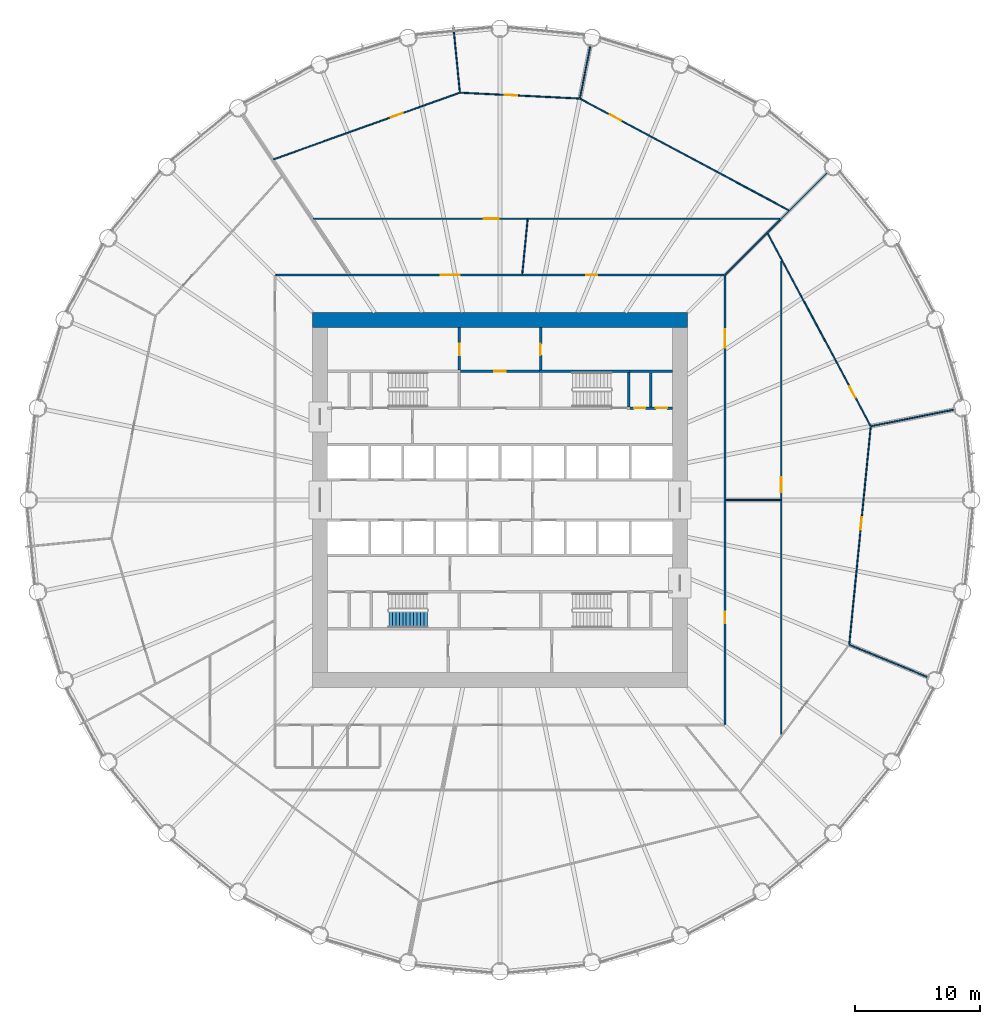
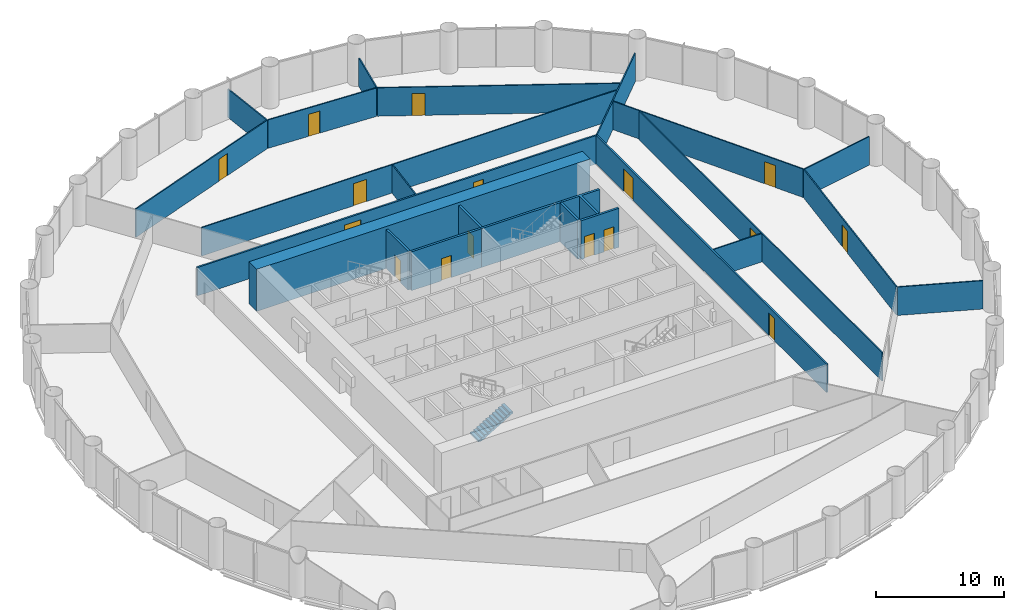
# One storey, part 13 of 15: 24 walls, 16 doors, 1 stair flight, 16 openings, 1 element without a shape of its own.
"""IFC4 building model written with IfcOpenShell, lengths in metres."""

from ifc_helpers import new_model, si_unit, direction, frame, frame_2d, origin, place, context, subcontext, project, spatial, polyline, rectangle, outline, extrude, material, layer, layer_set, type_object, element, fill, aggregate, save


model = new_model("IFC4")

# Units and contexts
model_context = context("Model", 3, precision=1e-05, world=origin(), true_north=direction((0.0, 1.0)))
body_context = subcontext(model_context, "Body", "Model", "MODEL_VIEW")
ifc_project = project(units=[si_unit("LENGTHUNIT", "METRE"), si_unit("AREAUNIT", "SQUARE_METRE"), si_unit("VOLUMEUNIT", "CUBIC_METRE"), si_unit("PLANEANGLEUNIT", "RADIAN"), si_unit("MASSUNIT", "GRAM", prefix="KILO")], contexts=[model_context])

# Site, building, storey
site_placement = place(None, origin())
site = spatial("IfcSite", under=ifc_project, at=site_placement, CompositionType="ELEMENT")
building_placement = place(site_placement, origin())
building = spatial("IfcBuilding", under=site, at=building_placement, Name="Corvane Civic Tower", CompositionType="ELEMENT")
storey_placement = place(building_placement, frame((0.0, 0.0, 45.0)))
storey = spatial("IfcBuildingStorey", under=building, at=storey_placement, Name="L09", CompositionType="ELEMENT", Elevation=45.0)

# Wall
ifc_material_1 = material(Name="Concrete C80/95", Category="concrete")
ifc_layer_1 = layer(ifc_material_1, 1.199951171875)
ifc_layer_set_1 = layer_set([ifc_layer_1], Name="Concrete C80/95")
wall_type_1 = type_object("IfcWallType", Name="CORE WALL 1200 C80/95", PredefinedType="SHEAR", material=ifc_layer_set_1)
wall_1_placement = place(storey_placement, frame((-15.0, 14.39990234375, 0.0), z_axis=(0.0, 0.0, 1.0), x_axis=(1.0, 0.0, 0.0)))
element("IfcWall", 1, at=wall_1_placement, inside=storey, type_object=wall_type_1, Name="W-L09-core-N", PredefinedType="SHEAR", context=body_context, shape_type="SweptSolid", body=[
    extrude(rectangle(XDim=30.0, YDim=1.199951171875, at=frame_2d((15.0, 0.0))), origin(), (0.0, 0.0, 1.0), 4.0),
])

# Wall, openings, doors
ifc_material_2 = material(Name="Concrete C30/37", Category="concrete")
ifc_layer_2 = layer(ifc_material_2, 0.199951171875)
ifc_layer_set_2 = layer_set([ifc_layer_2], Name="Concrete C30/37")
wall_type_2 = type_object("IfcWallType", Name="CR-WALL-200", PredefinedType="PARTITIONING", material=ifc_layer_set_2)
wall_2_placement = place(storey_placement, frame((10.39990234375, 7.35009765625, 0.0), z_axis=(0.0, 0.0, 1.0), x_axis=(1.0, 0.0, 0.0)))
wall_2 = element("IfcWall", 2, at=wall_2_placement, inside=storey, type_object=wall_type_2, Name="L09 core partition wall", PredefinedType="PARTITIONING", context=body_context, shape_type="SweptSolid", body=[
    extrude(rectangle(XDim=3.400146484375, YDim=0.199951171875, at=frame_2d((1.7001953125, 0.0))), origin(), (0.0, 0.0, 1.0), 3.699951171875),
])
opening_1_placement = place(wall_2_placement, frame((0.324951171875, 0.0, 0.0)))
opening_1 = element("IfcOpeningElement", 3, at=opening_1_placement, cuts=wall_2, Name="Opening L09.C14", PredefinedType="OPENING", context=body_context, shape_type="SweptSolid", body=[
    extrude(rectangle(XDim=0.89990234375, YDim=2.10009765625, at=frame_2d((0.449951171875, 1.050048828125))), frame((0.0, 0.10986328125, 0.0), z_axis=(0.0, -1.0, 0.0), x_axis=(1.0, 0.0, 0.0)), (0.0, 0.0, 1.0), 0.219970703125),
])
opening_2_placement = place(wall_2_placement, frame((2.074951171875, 0.0, 0.0)))
opening_2 = element("IfcOpeningElement", 4, at=opening_2_placement, cuts=wall_2, Name="Opening L09.C15", PredefinedType="OPENING", context=body_context, shape_type="SweptSolid", body=[
    extrude(rectangle(XDim=0.89990234375, YDim=2.10009765625, at=frame_2d((0.449951171875, 1.050048828125))), frame((0.0, 0.10986328125, 0.0), z_axis=(0.0, -1.0, 0.0), x_axis=(1.0, 0.0, 0.0)), (0.0, 0.0, 1.0), 0.219970703125),
])
ifc_material_3 = material(Name="Steel fire door leaf", Category="steel")
door_type_1 = type_object("IfcDoorType", Name="CR-DOOR-900", OperationType="SINGLE_SWING_LEFT", PredefinedType="DOOR", material=ifc_material_3)
door_1_placement = place(opening_1_placement, origin())
door_1 = element("IfcDoor", 5, at=door_1_placement, inside=storey, type_object=door_type_1, Name="L09 door", OperationType="SINGLE_SWING_LEFT", OverallHeight=2.10009765625, OverallWidth=0.89990234375, PredefinedType="DOOR", context=body_context, shape_type="SweptSolid", body=[
    extrude(rectangle(XDim=0.89990234375, YDim=2.10009765625, at=frame_2d((0.449951171875, 1.050048828125))), frame((0.0, 0.02490234375, 0.0), z_axis=(0.0, -1.0, 0.0), x_axis=(1.0, 0.0, 0.0)), (0.0, 0.0, 1.0), 0.050048828125),
])
fill(opening_1, door_1)
door_2_placement = place(opening_2_placement, origin())
door_2 = element("IfcDoor", 6, at=door_2_placement, inside=storey, type_object=door_type_1, Name="L09 door", OperationType="SINGLE_SWING_LEFT", OverallHeight=2.10009765625, OverallWidth=0.89990234375, PredefinedType="DOOR", context=body_context, shape_type="SweptSolid", body=[
    extrude(rectangle(XDim=0.89990234375, YDim=2.10009765625, at=frame_2d((0.449951171875, 1.050048828125))), frame((0.0, 0.02490234375, 0.0), z_axis=(0.0, -1.0, 0.0), x_axis=(1.0, 0.0, 0.0)), (0.0, 0.0, 1.0), 0.050048828125),
])
fill(opening_2, door_2)

# Wall, opening, door
wall_3_placement = place(storey_placement, frame((-3.14990234375, 10.300048828125, 0.0), z_axis=(0.0, 0.0, 1.0), x_axis=(1.0, 0.0, 0.0)))
wall_3 = element("IfcWall", 7, at=wall_3_placement, inside=storey, type_object=wall_type_2, Name="L09 partition wall", PredefinedType="PARTITIONING", context=body_context, shape_type="SweptSolid", body=[
    extrude(rectangle(XDim=6.2998046875, YDim=0.199951171875, at=frame_2d((3.14990234375, 0.0))), origin(), (0.0, 0.0, 1.0), 3.699951171875),
])
opening_3_placement = place(wall_3_placement, frame((2.699951171875, 0.0, 0.0)))
opening_3 = element("IfcOpeningElement", 8, at=opening_3_placement, cuts=wall_3, Name="Opening L09.C05", PredefinedType="OPENING", context=body_context, shape_type="SweptSolid", body=[
    extrude(rectangle(XDim=0.89990234375, YDim=2.10009765625, at=frame_2d((0.449951171875, 1.050048828125))), frame((0.0, 0.10986328125, 0.0), z_axis=(0.0, -1.0, 0.0), x_axis=(1.0, 0.0, 0.0)), (0.0, 0.0, 1.0), 0.219970703125),
])
door_3_placement = place(opening_3_placement, origin())
door_3 = element("IfcDoor", 9, at=door_3_placement, inside=storey, type_object=door_type_1, Name="L09 door", OperationType="SINGLE_SWING_LEFT", OverallHeight=2.10009765625, OverallWidth=0.89990234375, PredefinedType="DOOR", context=body_context, shape_type="SweptSolid", body=[
    extrude(rectangle(XDim=0.89990234375, YDim=2.10009765625, at=frame_2d((0.449951171875, 1.050048828125))), frame((0.0, 0.02490234375, 0.0), z_axis=(0.0, -1.0, 0.0), x_axis=(1.0, 0.0, 0.0)), (0.0, 0.0, 1.0), 0.050048828125),
])
fill(opening_3, door_3)

wall_4_placement = place(storey_placement, frame((-3.25, 10.39990234375, 0.0), z_axis=(0.0, 0.0, 1.0), x_axis=(0.0, 1.0, 0.0)))
wall_4 = element("IfcWall", 10, at=wall_4_placement, inside=storey, type_object=wall_type_2, Name="L09 partition wall", PredefinedType="PARTITIONING", context=body_context, shape_type="SweptSolid", body=[
    extrude(rectangle(XDim=3.400146484375, YDim=0.199951171875, at=frame_2d((1.7001953125, 0.0))), origin(), (0.0, 0.0, 1.0), 3.699951171875),
])
opening_4_placement = place(wall_4_placement, frame((1.199951171875, 0.0, 0.0)))
opening_4 = element("IfcOpeningElement", 11, at=opening_4_placement, cuts=wall_4, Name="Opening L09.C04", PredefinedType="OPENING", context=body_context, shape_type="SweptSolid", body=[
    extrude(rectangle(XDim=0.89990234375, YDim=2.10009765625, at=frame_2d((0.449951171875, 1.050048828125))), frame((0.0, 0.10986328125, 0.0), z_axis=(0.0, -1.0, 0.0), x_axis=(1.0, 0.0, 0.0)), (0.0, 0.0, 1.0), 0.219970703125),
])
door_4_placement = place(opening_4_placement, origin())
door_4 = element("IfcDoor", 12, at=door_4_placement, inside=storey, type_object=door_type_1, Name="L09 door", OperationType="SINGLE_SWING_LEFT", OverallHeight=2.10009765625, OverallWidth=0.89990234375, PredefinedType="DOOR", context=body_context, shape_type="SweptSolid", body=[
    extrude(rectangle(XDim=0.89990234375, YDim=2.10009765625, at=frame_2d((0.449951171875, 1.050048828125))), frame((0.0, 0.02490234375, 0.0), z_axis=(0.0, -1.0, 0.0), x_axis=(1.0, 0.0, 0.0)), (0.0, 0.0, 1.0), 0.050048828125),
])
fill(opening_4, door_4)

wall_5_placement = place(storey_placement, frame((3.25, 10.39990234375, 0.0), z_axis=(0.0, 0.0, 1.0), x_axis=(0.0, 1.0, 0.0)))
wall_5 = element("IfcWall", 13, at=wall_5_placement, inside=storey, type_object=wall_type_2, Name="L09 partition wall", PredefinedType="PARTITIONING", context=body_context, shape_type="SweptSolid", body=[
    extrude(rectangle(XDim=3.400146484375, YDim=0.199951171875, at=frame_2d((1.7001953125, 0.0))), origin(), (0.0, 0.0, 1.0), 3.699951171875),
])
opening_5_placement = place(wall_5_placement, frame((1.199951171875, 0.0, 0.0)))
opening_5 = element("IfcOpeningElement", 14, at=opening_5_placement, cuts=wall_5, Name="Opening L09.C06", PredefinedType="OPENING", context=body_context, shape_type="SweptSolid", body=[
    extrude(rectangle(XDim=0.89990234375, YDim=2.10009765625, at=frame_2d((0.449951171875, 1.050048828125))), frame((0.0, 0.10986328125, 0.0), z_axis=(0.0, -1.0, 0.0), x_axis=(1.0, 0.0, 0.0)), (0.0, 0.0, 1.0), 0.219970703125),
])
door_5_placement = place(opening_5_placement, origin())
door_5 = element("IfcDoor", 15, at=door_5_placement, inside=storey, type_object=door_type_1, Name="L09 door", OperationType="SINGLE_SWING_LEFT", OverallHeight=2.10009765625, OverallWidth=0.89990234375, PredefinedType="DOOR", context=body_context, shape_type="SweptSolid", body=[
    extrude(rectangle(XDim=0.89990234375, YDim=2.10009765625, at=frame_2d((0.449951171875, 1.050048828125))), frame((0.0, 0.02490234375, 0.0), z_axis=(0.0, -1.0, 0.0), x_axis=(1.0, 0.0, 0.0)), (0.0, 0.0, 1.0), 0.050048828125),
])
fill(opening_5, door_5)

# Wall
wall_6_placement = place(storey_placement, origin())
element("IfcWall", 16, at=wall_6_placement, inside=storey, type_object=wall_type_2, Name="L09 core partition wall", PredefinedType="PARTITIONING", context=body_context, shape_type="SweptSolid", body=[
    extrude(outline(polyline([(13.800048828125, 10.39990234375), (13.800048828125, 10.199951171875), (12.14990234375, 10.199951171875), (12.14990234375, 7.449951171875), (11.949951171875, 7.449951171875), (11.949951171875, 10.199951171875), (10.39990234375, 10.199951171875), (10.39990234375, 10.39990234375), (13.800048828125, 10.39990234375)])), origin(), (0.0, 0.0, 1.0), 3.699951171875),
])

# Wall, opening, door
ifc_material_4 = material(Name="Plasterboard")
ifc_layer_3 = layer(ifc_material_4, 0.10009765625)
ifc_layer_set_3 = layer_set([ifc_layer_3], Name="Plasterboard")
wall_type_3 = type_object("IfcWallType", Name="Partition 100 plasterboard on studs", PredefinedType="PARTITIONING", material=ifc_layer_set_3)
wall_7_placement = place(storey_placement, frame((22.5, -18.7548828125, 0.0), z_axis=(0.0, 0.0, 1.0), x_axis=(0.0, 1.0, 0.0)))
wall_7 = element("IfcWall", 17, at=wall_7_placement, inside=storey, type_object=wall_type_3, Name="Partition L09.014", PredefinedType="PARTITIONING", context=body_context, shape_type="SweptSolid", body=[
    extrude(rectangle(XDim=37.850341796875, YDim=0.10009765625, at=frame_2d((18.92529296875, 0.0))), origin(), (0.0, 0.0, 1.0), 2.699951171875),
])
opening_6_placement = place(wall_7_placement, frame((19.369873046875, 0.0, 0.0)))
opening_6 = element("IfcOpeningElement", 18, at=opening_6_placement, cuts=wall_7, Name="Opening L09.004", PredefinedType="OPENING", context=body_context, shape_type="SweptSolid", body=[
    extrude(rectangle(XDim=1.199951171875, YDim=2.10009765625, at=frame_2d((0.60009765625, 1.050048828125))), frame((0.0, 0.06005859375, 0.0), z_axis=(0.0, -1.0, 0.0), x_axis=(1.0, 0.0, 0.0)), (0.0, 0.0, 1.0), 0.1201171875),
])
ifc_material_5 = material(Name="Timber", Category="wood")
door_type_2 = type_object("IfcDoorType", Name="Double door 1200", OperationType="NOTDEFINED", PredefinedType="DOOR", material=ifc_material_5)
door_6_placement = place(opening_6_placement, frame((1.199951171875, 0.0, 0.0), z_axis=(0.0, 0.0, 1.0), x_axis=(-1.0, 0.0, 0.0)))
door_6 = element("IfcDoor", 19, at=door_6_placement, inside=storey, type_object=door_type_2, Name="Door L09.004", OperationType="DOUBLE_DOOR_SINGLE_SWING", OverallHeight=2.10009765625, OverallWidth=1.199951171875, PredefinedType="DOOR", context=body_context, shape_type="SweptSolid", body=[
    extrude(rectangle(XDim=1.199951171875, YDim=2.10009765625, at=frame_2d((0.60009765625, 1.050048828125))), frame((0.0, 0.02490234375, 0.0), z_axis=(0.0, -1.0, 0.0), x_axis=(1.0, 0.0, 0.0)), (0.0, 0.0, 1.0), 0.050048828125),
])
fill(opening_6, door_6)

# Wall
wall_8_placement = place(storey_placement, frame((27.97509765625, -11.587646484375, 0.0), z_axis=(0.0, 0.0, 1.0), x_axis=(0.923875811924, -0.382692414533, 0.0)))
element("IfcWall", 20, at=wall_8_placement, inside=storey, type_object=wall_type_3, Name="Partition L09.020", PredefinedType="PARTITIONING", context=body_context, shape_type="SweptSolid", body=[
    extrude(rectangle(XDim=6.7099609375, YDim=0.10009765625, at=frame_2d((3.35498046875, 0.0))), origin(), (0.0, 0.0, 1.0), 2.699951171875),
])

# Wall, opening, door
wall_9_placement = place(storey_placement, frame((27.942626953125, -11.535888671875, 0.0), z_axis=(0.0, 0.0, 1.0), x_axis=(0.098017280566, 0.99518471286, 0.0)))
wall_9 = element("IfcWall", 21, at=wall_9_placement, inside=storey, type_object=wall_type_3, Name="Partition L09.021", PredefinedType="PARTITIONING", context=body_context, shape_type="SweptSolid", body=[
    extrude(rectangle(XDim=17.48291015625, YDim=0.10009765625, at=frame_2d((8.741455078125, 0.0))), origin(), (0.0, 0.0, 1.0), 2.699951171875),
])
opening_7_placement = place(wall_9_placement, frame((9.19873046875, 0.0, 0.0)))
opening_7 = element("IfcOpeningElement", 22, at=opening_7_placement, cuts=wall_9, Name="Opening L09.002", PredefinedType="OPENING", context=body_context, shape_type="SweptSolid", body=[
    extrude(rectangle(XDim=1.0, YDim=2.10009765625, at=frame_2d((0.5, 1.050048828125))), frame((0.0, 0.06005859375, 0.0), z_axis=(0.0, -1.0, 0.0), x_axis=(1.0, 0.0, 0.0)), (0.0, 0.0, 1.0), 0.1201171875),
])
ifc_material_6 = material(Name="Timber", Category="wood")
door_type_3 = type_object("IfcDoorType", Name="Single door 1000", OperationType="NOTDEFINED", PredefinedType="DOOR", material=ifc_material_6)
door_7_placement = place(opening_7_placement, frame((1.0, 0.0, 0.0), z_axis=(0.0, 0.0, 1.0), x_axis=(-1.0, 0.0, 0.0)))
door_7 = element("IfcDoor", 23, at=door_7_placement, inside=storey, type_object=door_type_3, Name="Door L09.002", OperationType="SINGLE_SWING_LEFT", OverallHeight=2.10009765625, OverallWidth=1.0, PredefinedType="DOOR", context=body_context, shape_type="SweptSolid", body=[
    extrude(rectangle(XDim=1.0, YDim=2.10009765625, at=frame_2d((0.5, 1.050048828125))), frame((0.0, 0.02490234375, 0.0), z_axis=(0.0, -1.0, 0.0), x_axis=(1.0, 0.0, 0.0)), (0.0, 0.0, 1.0), 0.050048828125),
])
fill(opening_7, door_7)

# Walls
wall_10_placement = place(storey_placement, frame((18.074951171875, 0.0, 0.0), z_axis=(0.0, 0.0, 1.0), x_axis=(1.0, 0.0, 0.0)))
element("IfcWall", 24, at=wall_10_placement, inside=storey, type_object=wall_type_3, Name="Partition L09.024", PredefinedType="PARTITIONING", context=body_context, shape_type="SweptSolid", body=[
    extrude(rectangle(XDim=4.375, YDim=0.10009765625, at=frame_2d((2.1875, 0.0))), origin(), (0.0, 0.0, 1.0), 2.699951171875),
])
wall_11_placement = place(storey_placement, frame((29.6962890625, 5.906982421875, 0.0), z_axis=(0.0, 0.0, 1.0), x_axis=(0.980788572794, 0.195073769318, 0.0)))
element("IfcWall", 25, at=wall_11_placement, inside=storey, type_object=wall_type_3, Name="Partition L09.025", PredefinedType="PARTITIONING", context=body_context, shape_type="SweptSolid", body=[
    extrude(rectangle(XDim=6.7119140625, YDim=0.10009765625, at=frame_2d((3.35595703125, 0.0))), origin(), (0.0, 0.0, 1.0), 2.699951171875),
])

# Wall, opening, door
wall_12_placement = place(storey_placement, frame((21.415283203125, 21.32421875, 0.0), z_axis=(0.0, 0.0, 1.0), x_axis=(0.471393967078, -0.881922744804, 0.0)))
wall_12 = element("IfcWall", 26, at=wall_12_placement, inside=storey, type_object=wall_type_3, Name="Partition L09.026", PredefinedType="PARTITIONING", context=body_context, shape_type="SweptSolid", body=[
    extrude(rectangle(XDim=17.45263671875, YDim=0.10009765625, at=frame_2d((8.726318359375, 0.0))), origin(), (0.0, 0.0, 1.0), 2.699951171875),
])
opening_8_placement = place(wall_12_placement, frame((13.89306640625, 0.0, 0.0)))
opening_8 = element("IfcOpeningElement", 27, at=opening_8_placement, cuts=wall_12, Name="Opening L09.001", PredefinedType="OPENING", context=body_context, shape_type="SweptSolid", body=[
    extrude(rectangle(XDim=1.0, YDim=2.10009765625, at=frame_2d((0.5, 1.050048828125))), frame((0.0, 0.06005859375, 0.0), z_axis=(0.0, -1.0, 0.0), x_axis=(1.0, 0.0, 0.0)), (0.0, 0.0, 1.0), 0.1201171875),
])
door_8_placement = place(opening_8_placement, origin())
door_8 = element("IfcDoor", 28, at=door_8_placement, inside=storey, type_object=door_type_3, Name="Door L09.001", OperationType="SINGLE_SWING_RIGHT", OverallHeight=2.10009765625, OverallWidth=1.0, PredefinedType="DOOR", context=body_context, shape_type="SweptSolid", body=[
    extrude(rectangle(XDim=1.0, YDim=2.10009765625, at=frame_2d((0.5, 1.050048828125))), frame((0.0, 0.02490234375, 0.0), z_axis=(0.0, -1.0, 0.0), x_axis=(1.0, 0.0, 0.0)), (0.0, 0.0, 1.0), 0.050048828125),
])
fill(opening_8, door_8)

# Walls
wall_13_placement = place(storey_placement, frame((18.0146484375, 18.0146484375, 0.0), z_axis=(0.0, 0.0, 1.0), x_axis=(0.707106781187, 0.707106781187, 0.0)))
element("IfcWall", 29, at=wall_13_placement, inside=storey, type_object=wall_type_3, Name="Partition L09.030", PredefinedType="PARTITIONING", context=body_context, shape_type="SweptSolid", body=[
    extrude(rectangle(XDim=11.513671875, YDim=0.10009765625, at=frame_2d((5.7568359375, 0.0))), origin(), (0.0, 0.0, 1.0), 2.699951171875),
])
wall_14_placement = place(storey_placement, frame((1.78076171875, 18.079833984375, 0.0), z_axis=(0.0, 0.0, 1.0), x_axis=(0.098015690998, 0.995184869418, 0.0)))
element("IfcWall", 30, at=wall_14_placement, inside=storey, type_object=wall_type_3, Name="Partition L09.031", PredefinedType="PARTITIONING", context=body_context, shape_type="SweptSolid", body=[
    extrude(rectangle(XDim=4.386474609375, YDim=0.10009765625, at=frame_2d((2.193359375, 0.0))), origin(), (0.0, 0.0, 1.0), 2.699951171875),
])

# Wall, opening, door
wall_15_placement = place(storey_placement, frame((-14.9404296875, 22.5, 0.0), z_axis=(0.0, 0.0, 1.0), x_axis=(1.0, 0.0, 0.0)))
wall_15 = element("IfcWall", 31, at=wall_15_placement, inside=storey, type_object=wall_type_3, Name="Partition L09.033", PredefinedType="PARTITIONING", context=body_context, shape_type="SweptSolid", body=[
    extrude(rectangle(XDim=37.31982421875, YDim=0.10009765625, at=frame_2d((18.659912109375, 0.0))), origin(), (0.0, 0.0, 1.0), 2.699951171875),
])
opening_9_placement = place(wall_15_placement, frame((13.632568359375, 0.0, 0.0)))
opening_9 = element("IfcOpeningElement", 32, at=opening_9_placement, cuts=wall_15, Name="Opening L09.023", PredefinedType="OPENING", context=body_context, shape_type="SweptSolid", body=[
    extrude(rectangle(XDim=1.199951171875, YDim=2.10009765625, at=frame_2d((0.60009765625, 1.050048828125))), frame((0.0, 0.06005859375, 0.0), z_axis=(0.0, -1.0, 0.0), x_axis=(1.0, 0.0, 0.0)), (0.0, 0.0, 1.0), 0.1201171875),
])
door_9_placement = place(opening_9_placement, origin())
door_9 = element("IfcDoor", 33, at=door_9_placement, inside=storey, type_object=door_type_2, Name="Door L09.023", OperationType="DOUBLE_DOOR_SINGLE_SWING", OverallHeight=2.10009765625, OverallWidth=1.199951171875, PredefinedType="DOOR", context=body_context, shape_type="SweptSolid", body=[
    extrude(rectangle(XDim=1.199951171875, YDim=2.10009765625, at=frame_2d((0.60009765625, 1.050048828125))), frame((0.0, 0.02490234375, 0.0), z_axis=(0.0, -1.0, 0.0), x_axis=(1.0, 0.0, 0.0)), (0.0, 0.0, 1.0), 0.050048828125),
])
fill(opening_9, door_9)

wall_16_placement = place(storey_placement, frame((6.420654296875, 32.097412109375, 0.0), z_axis=(0.0, 0.0, 1.0), x_axis=(0.881920746375, -0.471397705885, 0.0)))
wall_16 = element("IfcWall", 34, at=wall_16_placement, inside=storey, type_object=wall_type_3, Name="Partition L09.034", PredefinedType="PARTITIONING", context=body_context, shape_type="SweptSolid", body=[
    extrude(rectangle(XDim=18.90576171875, YDim=0.10009765625, at=frame_2d((9.452880859375, 0.0))), origin(), (0.0, 0.0, 1.0), 2.699951171875),
])
opening_10_placement = place(wall_16_placement, frame((2.700439453125, 0.0, 0.0)))
opening_10 = element("IfcOpeningElement", 35, at=opening_10_placement, cuts=wall_16, Name="Opening L09.022", PredefinedType="OPENING", context=body_context, shape_type="SweptSolid", body=[
    extrude(rectangle(XDim=1.0, YDim=2.10009765625, at=frame_2d((0.5, 1.050048828125))), frame((0.0, 0.06005859375, 0.0), z_axis=(0.0, -1.0, 0.0), x_axis=(1.0, 0.0, 0.0)), (0.0, 0.0, 1.0), 0.1201171875),
])
door_10_placement = place(opening_10_placement, origin())
door_10 = element("IfcDoor", 36, at=door_10_placement, inside=storey, type_object=door_type_3, Name="Door L09.022", OperationType="SINGLE_SWING_RIGHT", OverallHeight=2.10009765625, OverallWidth=1.0, PredefinedType="DOOR", context=body_context, shape_type="SweptSolid", body=[
    extrude(rectangle(XDim=1.0, YDim=2.10009765625, at=frame_2d((0.5, 1.050048828125))), frame((0.0, 0.02490234375, 0.0), z_axis=(0.0, -1.0, 0.0), x_axis=(1.0, 0.0, 0.0)), (0.0, 0.0, 1.0), 0.050048828125),
])
fill(opening_10, door_10)

wall_17_placement = place(storey_placement, frame((-18.131103515625, 27.2470703125, 0.0), z_axis=(0.0, 0.0, 1.0), x_axis=(0.941544344507, 0.336889072732, 0.0)))
wall_17 = element("IfcWall", 37, at=wall_17_placement, inside=storey, type_object=wall_type_3, Name="Partition L09.035", PredefinedType="PARTITIONING", context=body_context, shape_type="SweptSolid", body=[
    extrude(rectangle(XDim=15.80908203125, YDim=0.10009765625, at=frame_2d((7.904541015625, 0.0))), origin(), (0.0, 0.0, 1.0), 2.699951171875),
])
opening_11_placement = place(wall_17_placement, frame((9.996826171875, 0.0, 0.0)))
opening_11 = element("IfcOpeningElement", 38, at=opening_11_placement, cuts=wall_17, Name="Opening L09.020", PredefinedType="OPENING", context=body_context, shape_type="SweptSolid", body=[
    extrude(rectangle(XDim=1.0, YDim=2.10009765625, at=frame_2d((0.5, 1.050048828125))), frame((0.0, 0.06005859375, 0.0), z_axis=(0.0, -1.0, 0.0), x_axis=(1.0, 0.0, 0.0)), (0.0, 0.0, 1.0), 0.1201171875),
])
door_11_placement = place(opening_11_placement, origin())
door_11 = element("IfcDoor", 39, at=door_11_placement, inside=storey, type_object=door_type_3, Name="Door L09.020", OperationType="SINGLE_SWING_LEFT", OverallHeight=2.10009765625, OverallWidth=1.0, PredefinedType="DOOR", context=body_context, shape_type="SweptSolid", body=[
    extrude(rectangle(XDim=1.0, YDim=2.10009765625, at=frame_2d((0.5, 1.050048828125))), frame((0.0, 0.02490234375, 0.0), z_axis=(0.0, -1.0, 0.0), x_axis=(1.0, 0.0, 0.0)), (0.0, 0.0, 1.0), 0.050048828125),
])
fill(opening_11, door_11)

wall_18_placement = place(storey_placement, frame((-3.16650390625, 32.583984375, 0.0), z_axis=(0.0, 0.0, 1.0), x_axis=(0.998796628102, -0.049043813998, 0.0)))
wall_18 = element("IfcWall", 40, at=wall_18_placement, inside=storey, type_object=wall_type_3, Name="Partition L09.036", PredefinedType="PARTITIONING", context=body_context, shape_type="SweptSolid", body=[
    extrude(rectangle(XDim=9.52294921875, YDim=0.10009765625, at=frame_2d((4.761474609375, 0.0))), origin(), (0.0, 0.0, 1.0), 2.699951171875),
])
opening_12_placement = place(wall_18_placement, frame((3.548583984375, 0.0, 0.0)))
opening_12 = element("IfcOpeningElement", 41, at=opening_12_placement, cuts=wall_18, Name="Opening L09.021", PredefinedType="OPENING", context=body_context, shape_type="SweptSolid", body=[
    extrude(rectangle(XDim=1.0, YDim=2.10009765625, at=frame_2d((0.5, 1.050048828125))), frame((0.0, 0.06005859375, 0.0), z_axis=(0.0, -1.0, 0.0), x_axis=(1.0, 0.0, 0.0)), (0.0, 0.0, 1.0), 0.1201171875),
])
door_12_placement = place(opening_12_placement, origin())
door_12 = element("IfcDoor", 42, at=door_12_placement, inside=storey, type_object=door_type_3, Name="Door L09.021", OperationType="SINGLE_SWING_LEFT", OverallHeight=2.10009765625, OverallWidth=1.0, PredefinedType="DOOR", context=body_context, shape_type="SweptSolid", body=[
    extrude(rectangle(XDim=1.0, YDim=2.10009765625, at=frame_2d((0.5, 1.050048828125))), frame((0.0, 0.02490234375, 0.0), z_axis=(0.0, -1.0, 0.0), x_axis=(1.0, 0.0, 0.0)), (0.0, 0.0, 1.0), 0.050048828125),
])
fill(opening_12, door_12)

# Walls
wall_19_placement = place(storey_placement, frame((6.396484375, 32.156982421875, 0.0), z_axis=(0.0, 0.0, 1.0), x_axis=(0.195054822686, 0.980792340991, 0.0)))
element("IfcWall", 43, at=wall_19_placement, inside=storey, type_object=wall_type_3, Name="Partition L09.037", PredefinedType="PARTITIONING", context=body_context, shape_type="SweptSolid", body=[
    extrude(rectangle(XDim=4.203125, YDim=0.10009765625, at=frame_2d((2.1015625, 0.0))), origin(), (0.0, 0.0, 1.0), 2.699951171875),
])
wall_20_placement = place(storey_placement, frame((-3.7197265625, 37.767333984375, 0.0), z_axis=(0.0, 0.0, 1.0), x_axis=(0.098024161588, -0.995184035114, 0.0)))
element("IfcWall", 44, at=wall_20_placement, inside=storey, type_object=wall_type_3, Name="Partition L09.038", PredefinedType="PARTITIONING", context=body_context, shape_type="SweptSolid", body=[
    extrude(rectangle(XDim=5.1630859375, YDim=0.10009765625, at=frame_2d((2.58154296875, 0.0))), origin(), (0.0, 0.0, 1.0), 2.699951171875),
])
ifc_material_7 = material(Name="Concrete C50/60", Category="concrete")
ifc_layer_4 = layer(ifc_material_7, 0.199951171875)
ifc_layer_set_4 = layer_set([ifc_layer_4], Name="Concrete C50/60")
wall_type_4 = type_object("IfcWallType", Name="ST-WALL-200", PredefinedType="SHEAR", material=ifc_layer_set_4)
wall_21_placement = place(storey_placement, origin())
element("IfcWall", 45, at=wall_21_placement, inside=storey, type_object=wall_type_4, Name="L09 stair enclosure wall", PredefinedType="SHEAR", context=body_context, shape_type="SweptSolid", body=[
    extrude(outline(polyline([(10.39990234375, 10.199951171875), (3.14990234375, 10.199951171875), (3.14990234375, 10.39990234375), (10.39990234375, 10.39990234375), (10.39990234375, 10.199951171875)])), origin(), (0.0, 0.0, 1.0), 3.699951171875),
])
wall_22_placement = place(storey_placement, origin())
element("IfcWall", 46, at=wall_22_placement, inside=storey, type_object=wall_type_4, Name="L09 stair enclosure wall", PredefinedType="SHEAR", context=body_context, shape_type="SweptSolid", body=[
    extrude(outline(polyline([(10.39990234375, 7.449951171875), (10.199951171875, 7.449951171875), (10.199951171875, 10.199951171875), (10.39990234375, 10.199951171875), (10.39990234375, 7.449951171875)])), origin(), (0.0, 0.0, 1.0), 3.699951171875),
])

# Wall, openings, doors
ifc_material_8 = material(Name="Plasterboard")
ifc_layer_5 = layer(ifc_material_8, 0.14990234375)
ifc_layer_set_5 = layer_set([ifc_layer_5], Name="Plasterboard")
wall_type_5 = type_object("IfcWallType", Name="Tenancy wall 150 EI 60", PredefinedType="PARTITIONING", material=ifc_layer_set_5)
wall_23_placement = place(storey_placement, frame((18.0, -17.925048828125, 0.0), z_axis=(0.0, 0.0, 1.0), x_axis=(0.0, 1.0, 0.0)))
wall_23 = element("IfcWall", 47, at=wall_23_placement, inside=storey, type_object=wall_type_5, Name="Partition L09.016", PredefinedType="PARTITIONING", context=body_context, shape_type="SweptSolid", body=[
    extrude(rectangle(XDim=35.85009765625, YDim=0.14990234375, at=frame_2d((17.925048828125, 0.0))), origin(), (0.0, 0.0, 1.0), 2.699951171875),
])
opening_13_placement = place(wall_23_placement, frame((30.099853515625, 0.0, 0.0)))
opening_13 = element("IfcOpeningElement", 48, at=opening_13_placement, cuts=wall_23, Name="Opening L09.005", PredefinedType="OPENING", context=body_context, shape_type="SweptSolid", body=[
    extrude(rectangle(XDim=1.5, YDim=2.10009765625, at=frame_2d((0.75, 1.050048828125))), frame((0.0, 0.0849609375, 0.0), z_axis=(0.0, -1.0, 0.0), x_axis=(1.0, 0.0, 0.0)), (0.0, 0.0, 1.0), 0.169921875),
])
opening_14_placement = place(wall_23_placement, frame((8.083740234375, 0.0, 0.0)))
opening_14 = element("IfcOpeningElement", 49, at=opening_14_placement, cuts=wall_23, Name="Opening L09.006", PredefinedType="OPENING", context=body_context, shape_type="SweptSolid", body=[
    extrude(rectangle(XDim=0.89990234375, YDim=2.10009765625, at=frame_2d((0.449951171875, 1.050048828125))), frame((0.0, 0.0849609375, 0.0), z_axis=(0.0, -1.0, 0.0), x_axis=(1.0, 0.0, 0.0)), (0.0, 0.0, 1.0), 0.169921875),
])
ifc_material_9 = material(Name="Steel and timber", Category="steel")
door_type_4 = type_object("IfcDoorType", Name="Fire door FD30S 900", OperationType="NOTDEFINED", PredefinedType="DOOR", material=ifc_material_9)
door_13_placement = place(opening_14_placement, frame((0.89990234375, 0.0, 0.0), z_axis=(0.0, 0.0, 1.0), x_axis=(-1.0, 0.0, 0.0)))
door_13 = element("IfcDoor", 50, at=door_13_placement, inside=storey, type_object=door_type_4, Name="Door L09.006", OperationType="SINGLE_SWING_LEFT", OverallHeight=2.10009765625, OverallWidth=0.89990234375, PredefinedType="DOOR", context=body_context, shape_type="SweptSolid", body=[
    extrude(rectangle(XDim=0.89990234375, YDim=2.10009765625, at=frame_2d((0.449951171875, 1.050048828125))), frame((0.0, 0.02490234375, 0.0), z_axis=(0.0, -1.0, 0.0), x_axis=(1.0, 0.0, 0.0)), (0.0, 0.0, 1.0), 0.050048828125),
])
fill(opening_14, door_13)
ifc_material_10 = material(Name="Steel and timber", Category="steel")
door_type_5 = type_object("IfcDoorType", Name="Fire door FD60 double 1500", OperationType="NOTDEFINED", PredefinedType="DOOR", material=ifc_material_10)
door_14_placement = place(opening_13_placement, frame((1.5, 0.0, 0.0), z_axis=(0.0, 0.0, 1.0), x_axis=(-1.0, 0.0, 0.0)))
door_14 = element("IfcDoor", 51, at=door_14_placement, inside=storey, type_object=door_type_5, Name="Door L09.005", OperationType="DOUBLE_DOOR_SINGLE_SWING", OverallHeight=2.10009765625, OverallWidth=1.5, PredefinedType="DOOR", context=body_context, shape_type="SweptSolid", body=[
    extrude(rectangle(XDim=1.5, YDim=2.10009765625, at=frame_2d((0.75, 1.050048828125))), frame((0.0, 0.02490234375, 0.0), z_axis=(0.0, -1.0, 0.0), x_axis=(1.0, 0.0, 0.0)), (0.0, 0.0, 1.0), 0.050048828125),
])
fill(opening_13, door_14)

wall_24_placement = place(storey_placement, frame((-17.925048828125, 18.0, 0.0), z_axis=(0.0, 0.0, 1.0), x_axis=(1.0, 0.0, 0.0)))
wall_24 = element("IfcWall", 52, at=wall_24_placement, inside=storey, type_object=wall_type_5, Name="Partition L09.029", PredefinedType="PARTITIONING", context=body_context, shape_type="SweptSolid", body=[
    extrude(rectangle(XDim=35.85009765625, YDim=0.14990234375, at=frame_2d((17.925048828125, 0.0))), origin(), (0.0, 0.0, 1.0), 2.699951171875),
])
opening_15_placement = place(wall_24_placement, frame((13.195556640625, 0.0, 0.0)))
opening_15 = element("IfcOpeningElement", 53, at=opening_15_placement, cuts=wall_24, Name="Opening L09.024", PredefinedType="OPENING", context=body_context, shape_type="SweptSolid", body=[
    extrude(rectangle(XDim=1.5, YDim=2.10009765625, at=frame_2d((0.75, 1.050048828125))), frame((0.0, 0.0849609375, 0.0), z_axis=(0.0, -1.0, 0.0), x_axis=(1.0, 0.0, 0.0)), (0.0, 0.0, 1.0), 0.169921875),
])
opening_16_placement = place(wall_24_placement, frame((24.806884765625, 0.0, 0.0)))
opening_16 = element("IfcOpeningElement", 54, at=opening_16_placement, cuts=wall_24, Name="Opening L09.025", PredefinedType="OPENING", context=body_context, shape_type="SweptSolid", body=[
    extrude(rectangle(XDim=0.89990234375, YDim=2.10009765625, at=frame_2d((0.449951171875, 1.050048828125))), frame((0.0, 0.0849609375, 0.0), z_axis=(0.0, -1.0, 0.0), x_axis=(1.0, 0.0, 0.0)), (0.0, 0.0, 1.0), 0.169921875),
])
door_15_placement = place(opening_16_placement, origin())
door_15 = element("IfcDoor", 55, at=door_15_placement, inside=storey, type_object=door_type_4, Name="Door L09.025", OperationType="SINGLE_SWING_RIGHT", OverallHeight=2.10009765625, OverallWidth=0.89990234375, PredefinedType="DOOR", context=body_context, shape_type="SweptSolid", body=[
    extrude(rectangle(XDim=0.89990234375, YDim=2.10009765625, at=frame_2d((0.449951171875, 1.050048828125))), frame((0.0, 0.02490234375, 0.0), z_axis=(0.0, -1.0, 0.0), x_axis=(1.0, 0.0, 0.0)), (0.0, 0.0, 1.0), 0.050048828125),
])
fill(opening_16, door_15)
door_16_placement = place(opening_15_placement, origin())
door_16 = element("IfcDoor", 56, at=door_16_placement, inside=storey, type_object=door_type_5, Name="Door L09.024", OperationType="DOUBLE_DOOR_SINGLE_SWING", OverallHeight=2.10009765625, OverallWidth=1.5, PredefinedType="DOOR", context=body_context, shape_type="SweptSolid", body=[
    extrude(rectangle(XDim=1.5, YDim=2.10009765625, at=frame_2d((0.75, 1.050048828125))), frame((0.0, 0.02490234375, 0.0), z_axis=(0.0, -1.0, 0.0), x_axis=(1.0, 0.0, 0.0)), (0.0, 0.0, 1.0), 0.050048828125),
])
fill(opening_15, door_16)

# Stair, stair flight
ifc_material_11 = material(Name="Concrete C40/50", Category="concrete")
stair_type = type_object("IfcStairType", Name="ST-STAIR-HALFTURN", PredefinedType="HALF_TURN_STAIR", material=ifc_material_11)
stair_placement = place(storey_placement, origin())
stair = element("IfcStair", 57, at=stair_placement, inside=storey, type_object=stair_type, Name="L09 Exit stair ST3", PredefinedType="HALF_TURN_STAIR")
ifc_material_12 = material(Name="Concrete C40/50", Category="concrete")
stair_flight_type = type_object("IfcStairFlightType", Name="ST-FLIGHT-RC", PredefinedType="STRAIGHT", material=ifc_material_12)
stair_flight_placement = place(storey_placement, frame((-8.89990234375, -9.550048828125, 0.0), z_axis=(0.0, 0.0, 1.0), x_axis=(1.0, 0.0, 0.0)))
stair_flight = element("IfcStairFlight", 58, at=stair_flight_placement, type_object=stair_flight_type, Name="ST3 flight 1", NumberOfRisers=12, NumberOfTreads=11, PredefinedType="STRAIGHT", RiserHeight=0.166666667, TreadLength=0.28, context=body_context, shape_type="SweptSolid", body=[
    extrude(outline(polyline([(0.0, 0.0), (0.0, 0.166748046875), (0.280029296875, 0.166748046875), (0.280029296875, 0.333251953125), (0.56005859375, 0.333251953125), (0.56005859375, 0.5), (0.840087890625, 0.5), (0.840087890625, 0.666748046875), (1.1201171875, 0.666748046875), (1.1201171875, 0.833251953125), (1.39990234375, 0.833251953125), (1.39990234375, 1.0), (1.679931640625, 1.0), (1.679931640625, 1.166748046875), (1.9599609375, 1.166748046875), (1.9599609375, 1.333251953125), (2.239990234375, 1.333251953125), (2.239990234375, 1.5), (2.52001953125, 1.5), (2.52001953125, 1.666748046875), (2.800048828125, 1.666748046875), (2.800048828125, 1.833251953125), (3.080078125, 1.833251953125), (3.080078125, 2.0), (3.080078125, 1.658935546875), (0.29296875, 0.0), (0.0, 0.0)])), frame((0.0, 0.64990234375, 0.0), z_axis=(0.0, -1.0, 0.0), x_axis=(1.0, 0.0, 0.0)), (0.0, 0.0, 1.0), 1.300048828125),
])
aggregate(stair, [stair_flight])

save(model, "model.ifc")
